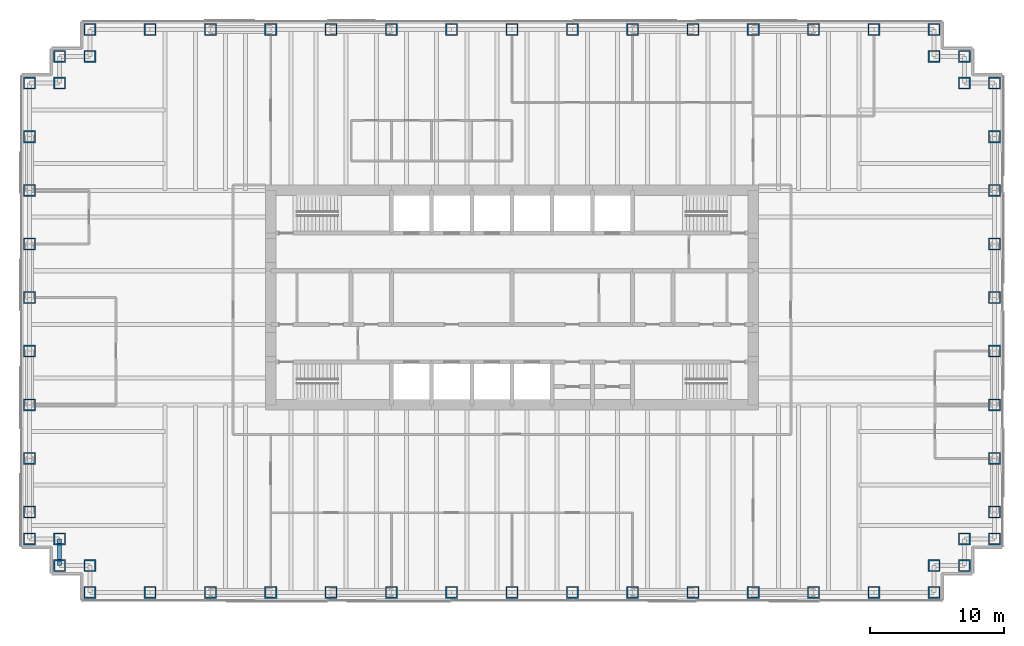
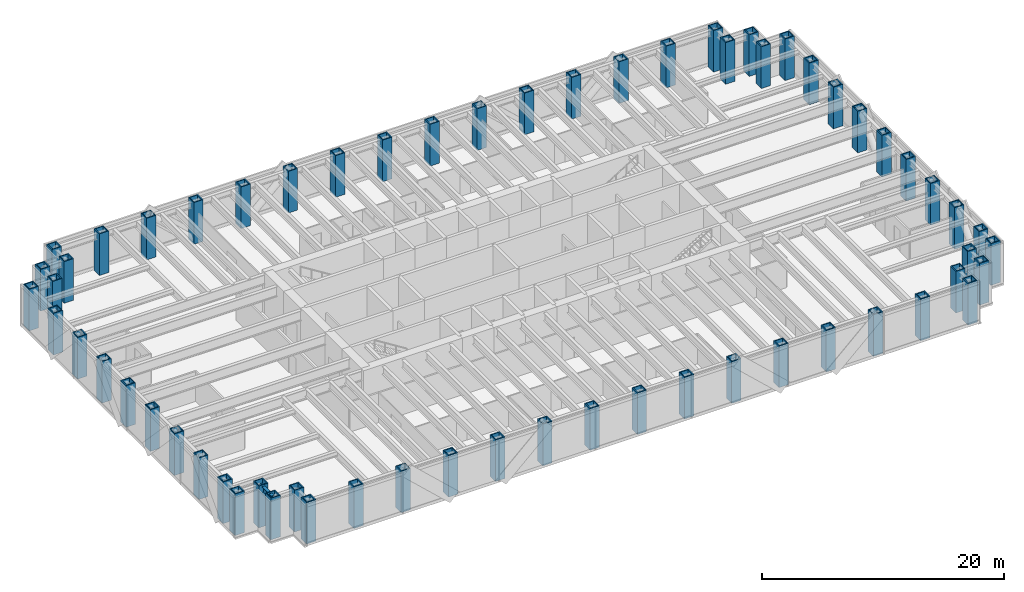
# One storey, part 1 of 14: 62 columns, 1 beam.
"""IFC4 building model written with IfcOpenShell, lengths in metres."""

from ifc_helpers import new_model, si_unit, direction, frame, origin, origin_2d, place, context, subcontext, project, spatial, hollow_rectangle, i_section, extrude, material, material_profile, profile_set, type_object, element, save


model = new_model("IFC4")

# Units and contexts
model_context = context("Model", 3, precision=1e-05, world=origin(), true_north=direction((0.0, 1.0)))
body_context = subcontext(model_context, "Body", "Model", "MODEL_VIEW")
ifc_project = project(units=[si_unit("LENGTHUNIT", "METRE"), si_unit("AREAUNIT", "SQUARE_METRE"), si_unit("VOLUMEUNIT", "CUBIC_METRE"), si_unit("PLANEANGLEUNIT", "RADIAN"), si_unit("MASSUNIT", "GRAM", prefix="KILO")], contexts=[model_context])

# Site, building, storey
site_placement = place(None, origin())
site = spatial("IfcSite", under=ifc_project, at=site_placement, CompositionType="ELEMENT")
building_placement = place(site_placement, origin())
building = spatial("IfcBuilding", under=site, at=building_placement, Name="Rheinbord Bourse Tower", CompositionType="ELEMENT")
storey_placement = place(building_placement, frame((0.0, 0.0, 202.60009765625)))
storey = spatial("IfcBuildingStorey", under=building, at=storey_placement, Name="L45", CompositionType="ELEMENT", Elevation=202.60009765625)

# Columns
ifc_material_1 = material(Name="Steel S460M", Category="steel")
ifc_material_profile_1 = material_profile(ifc_material_1, hollow_rectangle(XDim=0.89990234375, YDim=0.89990234375, WallThickness=0.090087890625, at=origin_2d()), Name="BOX 900x900x90")
ifc_profile_set_1 = profile_set([ifc_material_profile_1], Name="Steel S460M")
column_type = type_object("IfcColumnType", Name="TUBE COLUMN BOX 900x900x90", PredefinedType="COLUMN", material=ifc_profile_set_1)
for number, where, z_axis, x_axis, name in (
    (1, (4.5, 2.0, 0.0), (0.0, 0.0, 1.0), (0.0, 1.0, 0.0), "Column SW-E L45"),
    (2, (9.0, 2.0, 0.0), (0.0, 0.0, 1.0), (0.0, 1.0, 0.0), "Column S-9 L45"),
    (3, (13.5, 2.0, 0.0), (0.0, 0.0, 1.0), (0.0, 1.0, 0.0), "Column S-13.5 L45"),
    (4, (18.0, 2.0, 0.0), (0.0, 0.0, 1.0), (0.0, 1.0, 0.0), "Column S-18 L45"),
    (5, (22.5, 2.0, 0.0), (0.0, 0.0, 1.0), (0.0, 1.0, 0.0), "Column S-22.5 L45"),
    (6, (27.0, 2.0, 0.0), (0.0, 0.0, 1.0), (0.0, 1.0, 0.0), "Column S-27 L45"),
    (7, (31.5, 2.0, 0.0), (0.0, 0.0, 1.0), (0.0, 1.0, 0.0), "Column S-31.5 L45"),
    (8, (36.0, 2.0, 0.0), (0.0, 0.0, 1.0), (0.0, 1.0, 0.0), "Column S-36 L45"),
    (9, (40.5, 2.0, 0.0), (0.0, 0.0, 1.0), (0.0, 1.0, 0.0), "Column S-40.5 L45"),
    (10, (45.0, 2.0, 0.0), (0.0, 0.0, 1.0), (0.0, 1.0, 0.0), "Column S-45 L45"),
    (11, (49.5, 2.0, 0.0), (0.0, 0.0, 1.0), (0.0, 1.0, 0.0), "Column S-49.5 L45"),
    (12, (54.0, 2.0, 0.0), (0.0, 0.0, 1.0), (0.0, 1.0, 0.0), "Column S-54 L45"),
    (13, (58.5, 2.0, 0.0), (0.0, 0.0, 1.0), (0.0, 1.0, 0.0), "Column S-58.5 L45"),
    (14, (63.0, 2.0, 0.0), (0.0, 0.0, 1.0), (0.0, 1.0, 0.0), "Column S-63 L45"),
    (15, (67.5, 2.0, 0.0), (0.0, 0.0, 1.0), (0.0, 1.0, 0.0), "Column SE-E L45"),
    (16, (67.5, 4.0, 0.0), (0.0, 0.0, 1.0), (0.0, 1.0, 0.0), "Column SE-D L45"),
    (17, (69.75, 4.0, 0.0), (0.0, 0.0, 1.0), (1.0, 0.0, 0.0), "Column SE-C L45"),
    (18, (69.75, 6.0, 0.0), (0.0, 0.0, 1.0), (1.0, 0.0, 0.0), "Column SE-B L45"),
    (19, (72.0, 6.0, 0.0), (0.0, 0.0, 1.0), (1.0, 0.0, 0.0), "Column SE-A L45"),
    (20, (72.0, 8.0, 0.0), (0.0, 0.0, 1.0), (1.0, 0.0, 0.0), "Column E-8 L45"),
    (21, (72.0, 12.0, 0.0), (0.0, 0.0, 1.0), (1.0, 0.0, 0.0), "Column E-12 L45"),
    (22, (72.0, 16.0, 0.0), (0.0, 0.0, 1.0), (1.0, 0.0, 0.0), "Column E-16 L45"),
    (23, (72.0, 20.0, 0.0), (0.0, 0.0, 1.0), (1.0, 0.0, 0.0), "Column E-20 L45"),
    (24, (72.0, 24.0, 0.0), (0.0, 0.0, 1.0), (1.0, 0.0, 0.0), "Column E-24 L45"),
    (25, (72.0, 28.0, 0.0), (0.0, 0.0, 1.0), (1.0, 0.0, 0.0), "Column E-28 L45"),
    (26, (72.0, 32.0, 0.0), (0.0, 0.0, 1.0), (1.0, 0.0, 0.0), "Column E-32 L45"),
    (27, (72.0, 36.0, 0.0), (0.0, 0.0, 1.0), (1.0, 0.0, 0.0), "Column E-36 L45"),
    (28, (72.0, 40.0, 0.0), (0.0, 0.0, 1.0), (1.0, 0.0, 0.0), "Column NE-A L45"),
    (29, (69.75, 40.0, 0.0), (0.0, 0.0, 1.0), (1.0, 0.0, 0.0), "Column NE-B L45"),
    (30, (69.75, 42.0, 0.0), (0.0, 0.0, 1.0), (1.0, 0.0, 0.0), "Column NE-C L45"),
    (31, (67.5, 42.0, 0.0), (0.0, 0.0, 1.0), (0.0, 1.0, 0.0), "Column NE-D L45"),
    (32, (67.5, 44.0, 0.0), (0.0, 0.0, 1.0), (0.0, 1.0, 0.0), "Column NE-E L45"),
    (33, (63.0, 44.0, 0.0), (0.0, 0.0, 1.0), (0.0, 1.0, 0.0), "Column N-63 L45"),
    (34, (58.5, 44.0, 0.0), (0.0, 0.0, 1.0), (0.0, 1.0, 0.0), "Column N-58.5 L45"),
    (35, (54.0, 44.0, 0.0), (0.0, 0.0, 1.0), (0.0, 1.0, 0.0), "Column N-54 L45"),
    (36, (49.5, 44.0, 0.0), (0.0, 0.0, 1.0), (0.0, 1.0, 0.0), "Column N-49.5 L45"),
    (37, (45.0, 44.0, 0.0), (0.0, 0.0, 1.0), (0.0, 1.0, 0.0), "Column N-45 L45"),
    (38, (40.5, 44.0, 0.0), (0.0, 0.0, 1.0), (0.0, 1.0, 0.0), "Column N-40.5 L45"),
    (39, (36.0, 44.0, 0.0), (0.0, 0.0, 1.0), (0.0, 1.0, 0.0), "Column N-36 L45"),
    (40, (31.5, 44.0, 0.0), (0.0, 0.0, 1.0), (0.0, 1.0, 0.0), "Column N-31.5 L45"),
    (41, (27.0, 44.0, 0.0), (0.0, 0.0, 1.0), (0.0, 1.0, 0.0), "Column N-27 L45"),
    (42, (22.5, 44.0, 0.0), (0.0, 0.0, 1.0), (0.0, 1.0, 0.0), "Column N-22.5 L45"),
    (43, (18.0, 44.0, 0.0), (0.0, 0.0, 1.0), (0.0, 1.0, 0.0), "Column N-18 L45"),
    (44, (13.5, 44.0, 0.0), (0.0, 0.0, 1.0), (0.0, 1.0, 0.0), "Column N-13.5 L45"),
    (45, (9.0, 44.0, 0.0), (0.0, 0.0, 1.0), (0.0, 1.0, 0.0), "Column N-9 L45"),
    (46, (4.5, 44.0, 0.0), (0.0, 0.0, 1.0), (0.0, 1.0, 0.0), "Column NW-E L45"),
    (47, (4.5, 42.0, 0.0), (0.0, 0.0, 1.0), (0.0, 1.0, 0.0), "Column NW-D L45"),
    (48, (2.25, 42.0, 0.0), (0.0, 0.0, 1.0), (1.0, 0.0, 0.0), "Column NW-C L45"),
    (49, (2.25, 40.0, 0.0), (0.0, 0.0, 1.0), (1.0, 0.0, 0.0), "Column NW-B L45"),
    (50, (0.0, 40.0, 0.0), (0.0, 0.0, 1.0), (1.0, 0.0, 0.0), "Column NW-A L45"),
    (51, (0.0, 36.0, 0.0), (0.0, 0.0, 1.0), (1.0, 0.0, 0.0), "Column W-36 L45"),
    (52, (0.0, 32.0, 0.0), (0.0, 0.0, 1.0), (1.0, 0.0, 0.0), "Column W-32 L45"),
    (53, (0.0, 28.0, 0.0), (0.0, 0.0, 1.0), (1.0, 0.0, 0.0), "Column W-28 L45"),
    (54, (0.0, 24.0, 0.0), (0.0, 0.0, 1.0), (1.0, 0.0, 0.0), "Column W-24 L45"),
    (55, (0.0, 20.0, 0.0), (0.0, 0.0, 1.0), (1.0, 0.0, 0.0), "Column W-20 L45"),
    (56, (0.0, 16.0, 0.0), (0.0, 0.0, 1.0), (1.0, 0.0, 0.0), "Column W-16 L45"),
    (57, (0.0, 12.0, 0.0), (0.0, 0.0, 1.0), (1.0, 0.0, 0.0), "Column W-12 L45"),
    (58, (0.0, 8.0, 0.0), (0.0, 0.0, 1.0), (1.0, 0.0, 0.0), "Column W-8 L45"),
    (59, (0.0, 6.0, 0.0), (0.0, 0.0, 1.0), (1.0, 0.0, 0.0), "Column SW-A L45"),
    (60, (2.25, 6.0, 0.0), (0.0, 0.0, 1.0), (1.0, 0.0, 0.0), "Column SW-B L45"),
    (61, (2.25, 4.0, 0.0), (0.0, 0.0, 1.0), (1.0, 0.0, 0.0), "Column SW-C L45"),
    (62, (4.5, 4.0, 0.0), (0.0, 0.0, 1.0), (0.0, 1.0, 0.0), "Column SW-D L45"),
):
    element("IfcColumn", number, at=place(storey_placement, frame(where, z_axis=z_axis, x_axis=x_axis)), inside=storey, type_object=column_type, Name=name, PredefinedType="COLUMN", context=body_context, shape_type="SweptSolid", body=[
        extrude(hollow_rectangle(XDim=0.89990234375, YDim=0.89990234375, WallThickness=0.090087890625, at=origin_2d()), origin(), (0.0, 0.0, 1.0), 4.199951171875),
    ])

# Beam
ifc_material_2 = material(Name="Steel S460", Category="steel")
ifc_material_profile_2 = material_profile(ifc_material_2, i_section(OverallWidth=0.300048828125, OverallDepth=0.60009765625, WebThickness=0.015380859375, FlangeThickness=0.030029296875, at=origin_2d()), Name="HEB 600")
ifc_profile_set_2 = profile_set([ifc_material_profile_2], Name="Steel S460")
beam_type = type_object("IfcBeamType", Name="SPANDREL HEB 600", PredefinedType="SPANDREL", material=ifc_profile_set_2)
beam_placement = place(storey_placement, frame((2.25, 6.0, 3.739990234375), z_axis=(0.0, -1.0, 0.0), x_axis=(1.0, 0.0, 0.0)))
element("IfcBeam", 63, at=beam_placement, inside=storey, type_object=beam_type, Name="Spandrel SW-B-SW-C under L46", PredefinedType="SPANDREL", context=body_context, shape_type="SweptSolid", body=[
    extrude(i_section(OverallWidth=0.300048828125, OverallDepth=0.60009765625, WebThickness=0.015380859375, FlangeThickness=0.030029296875, at=origin_2d()), origin(), (0.0, 0.0, 1.0), 2.0),
])

save(model, "model.ifc")
